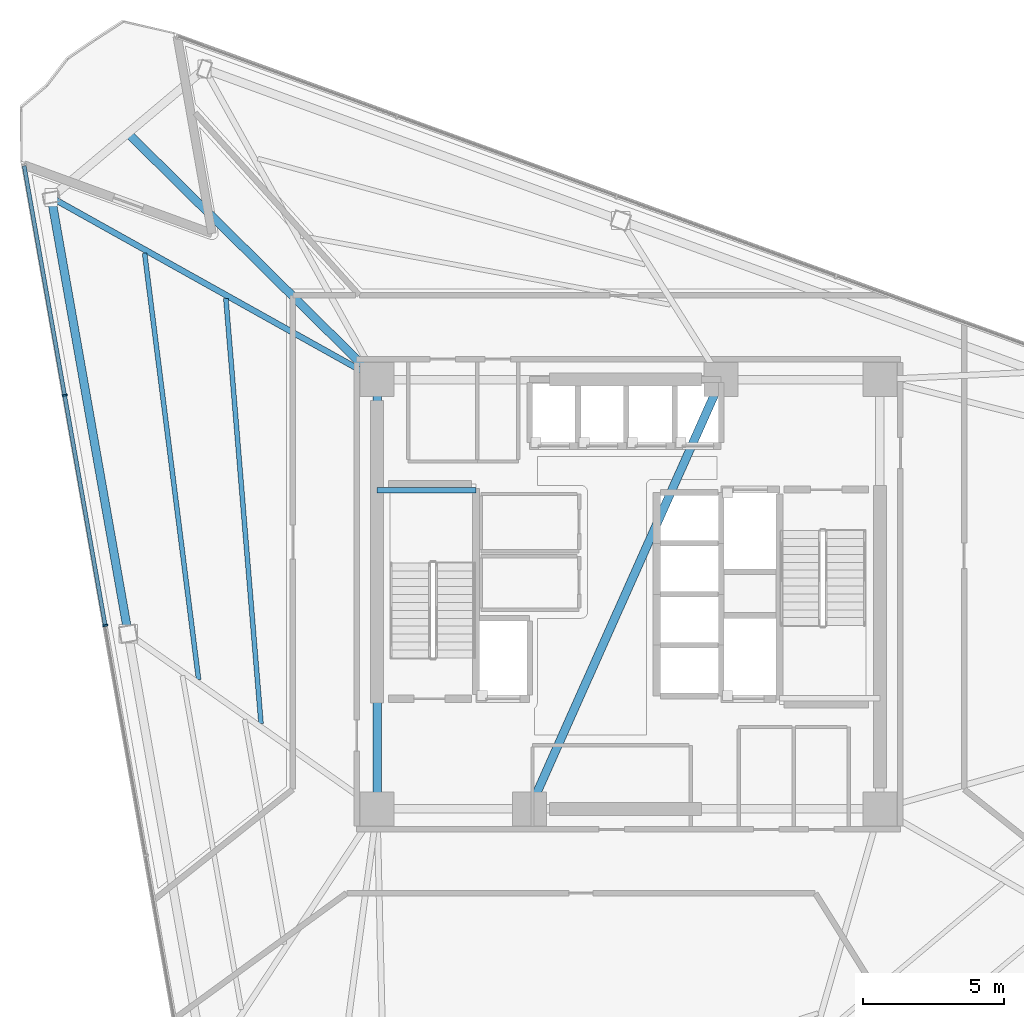
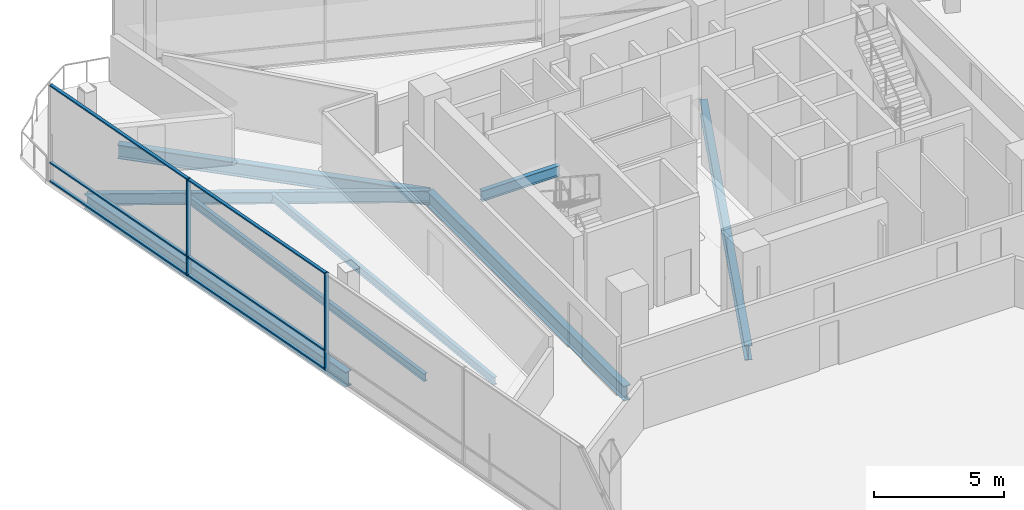
# One storey, part 5 of 15: 8 beams, 8 members, 1 element without a shape of its own.
"""IFC4 building model written with IfcOpenShell, lengths in metres."""

from ifc_helpers import new_model, si_unit, direction, frame, origin, origin_2d, place, context, subcontext, project, spatial, rectangle, i_section, extrude, material, layer, layer_set, material_profile, profile_set, type_object, element, aggregate, save


model = new_model("IFC4")

# Units and contexts
model_context = context("Model", 3, precision=1e-05, world=origin(), true_north=direction((0.0, 1.0)))
body_context = subcontext(model_context, "Body", "Model", "MODEL_VIEW")
ifc_project = project(units=[si_unit("LENGTHUNIT", "METRE"), si_unit("AREAUNIT", "SQUARE_METRE"), si_unit("VOLUMEUNIT", "CUBIC_METRE"), si_unit("PLANEANGLEUNIT", "RADIAN"), si_unit("MASSUNIT", "GRAM", prefix="KILO")], contexts=[model_context])

# Site, building, storey
site_placement = place(None, origin())
site = spatial("IfcSite", under=ifc_project, at=site_placement, CompositionType="ELEMENT")
building_placement = place(site_placement, origin())
building = spatial("IfcBuilding", under=site, at=building_placement, Name="Tharavind Bronze Gate", CompositionType="ELEMENT")
storey_placement = place(building_placement, frame((0.0, 0.0, 192.10009765625)))
storey = spatial("IfcBuildingStorey", under=building, at=storey_placement, Name="L49", CompositionType="ELEMENT", Elevation=192.10009765625)

# Curtain wall, members
ifc_material_1 = material(Name="Anodised Bronze Aluminium", Category="aluminium")
ifc_layer = layer(ifc_material_1, 0.219970703125)
ifc_layer_set = layer_set([ifc_layer], Name="Anodised Bronze Aluminium")
curtain_wall_type = type_object("IfcCurtainWallType", Name="UNITISED CURTAIN WALL MID OFFICE", PredefinedType="USERDEFINED", material=ifc_layer_set)
curtain_wall_placement = place(storey_placement, origin())
curtain_wall = element("IfcCurtainWall", 1, at=curtain_wall_placement, inside=storey, type_object=curtain_wall_type, Name="L49 unitised curtain wall mid office CW-L49-S1", ObjectType="UNITISED CURTAIN WALL", PredefinedType="USERDEFINED")
member_type_1 = type_object("IfcMemberType", Name="CURTAIN WALL BRONZE MULLION 65X180", PredefinedType="MULLION", material=ifc_material_1)
member_1_placement = place(storey_placement, frame((-19.9599609375, 7.044677734375, -0.000244140625), z_axis=(0.0, 0.0, 1.0), x_axis=(0.173648177667, -0.984807753012, 0.0)))
member_1 = element("IfcMember", 2, at=member_1_placement, type_object=member_type_1, Name="CW-L49-S1 mullion 2", PredefinedType="MULLION", context=body_context, shape_type="SweptSolid", body=[
    extrude(rectangle(XDim=0.06494140625, YDim=0.179931640625, at=origin_2d()), origin(), (0.0, 0.0, 1.0), 4.56005859375),
])
member_2_placement = place(storey_placement, frame((-18.5234375, -1.10302734375, -0.000244140625), z_axis=(0.0, 0.0, 1.0), x_axis=(0.173648177667, -0.984807753012, 0.0)))
member_2 = element("IfcMember", 3, at=member_2_placement, type_object=member_type_1, Name="CW-L49-S1 mullion 3", PredefinedType="MULLION", context=body_context, shape_type="SweptSolid", body=[
    extrude(rectangle(XDim=0.06494140625, YDim=0.179931640625, at=origin_2d()), origin(), (0.0, 0.0, 1.0), 4.56005859375),
])
member_type_2 = type_object("IfcMemberType", Name="CURTAIN WALL BRONZE TRANSOM 65X140", PredefinedType="USERDEFINED", material=ifc_material_1)
member_3_placement = place(storey_placement, frame((-20.678466796875, 11.118408203125, 0.0), z_axis=(0.0, 0.0, 1.0), x_axis=(0.173648177667, -0.984807753012, 0.0)))
member_3 = element("IfcMember", 4, at=member_3_placement, type_object=member_type_2, Name="CW-L49-S1 transom TB1", ObjectType="TRANSOM", PredefinedType="USERDEFINED", context=body_context, shape_type="SweptSolid", body=[
    extrude(rectangle(XDim=8.220458984375, YDim=0.139892578125, at=origin_2d()), origin(), (0.0, 0.0, 1.0), 0.06494140625),
])
member_4_placement = place(storey_placement, frame((-20.678466796875, 11.118408203125, 0.867431640625), z_axis=(0.0, 0.0, 1.0), x_axis=(0.173648177667, -0.984807753012, 0.0)))
member_4 = element("IfcMember", 5, at=member_4_placement, type_object=member_type_2, Name="CW-L49-S1 transom TS1", ObjectType="TRANSOM", PredefinedType="USERDEFINED", context=body_context, shape_type="SweptSolid", body=[
    extrude(rectangle(XDim=8.220458984375, YDim=0.139892578125, at=origin_2d()), origin(), (0.0, 0.0, 1.0), 0.06494140625),
])
member_5_placement = place(storey_placement, frame((-20.678466796875, 11.118408203125, 4.494873046875), z_axis=(0.0, 0.0, 1.0), x_axis=(0.173648177667, -0.984807753012, 0.0)))
member_5 = element("IfcMember", 6, at=member_5_placement, type_object=member_type_2, Name="CW-L49-S1 transom TT1", ObjectType="TRANSOM", PredefinedType="USERDEFINED", context=body_context, shape_type="SweptSolid", body=[
    extrude(rectangle(XDim=8.220458984375, YDim=0.139892578125, at=origin_2d()), origin(), (0.0, 0.0, 1.0), 0.06494140625),
])
member_6_placement = place(storey_placement, frame((-19.24169921875, 2.970703125, 0.0), z_axis=(0.0, 0.0, 1.0), x_axis=(0.173648177667, -0.984807753012, 0.0)))
member_6 = element("IfcMember", 7, at=member_6_placement, type_object=member_type_2, Name="CW-L49-S1 transom TB2", ObjectType="TRANSOM", PredefinedType="USERDEFINED", context=body_context, shape_type="SweptSolid", body=[
    extrude(rectangle(XDim=8.220458984375, YDim=0.139892578125, at=origin_2d()), origin(), (0.0, 0.0, 1.0), 0.06494140625),
])
member_7_placement = place(storey_placement, frame((-19.24169921875, 2.970703125, 0.867431640625), z_axis=(0.0, 0.0, 1.0), x_axis=(0.173648177667, -0.984807753012, 0.0)))
member_7 = element("IfcMember", 8, at=member_7_placement, type_object=member_type_2, Name="CW-L49-S1 transom TS2", ObjectType="TRANSOM", PredefinedType="USERDEFINED", context=body_context, shape_type="SweptSolid", body=[
    extrude(rectangle(XDim=8.220458984375, YDim=0.139892578125, at=origin_2d()), origin(), (0.0, 0.0, 1.0), 0.06494140625),
])
member_8_placement = place(storey_placement, frame((-19.24169921875, 2.970703125, 4.494873046875), z_axis=(0.0, 0.0, 1.0), x_axis=(0.173648177667, -0.984807753012, 0.0)))
member_8 = element("IfcMember", 9, at=member_8_placement, type_object=member_type_2, Name="CW-L49-S1 transom TT2", ObjectType="TRANSOM", PredefinedType="USERDEFINED", context=body_context, shape_type="SweptSolid", body=[
    extrude(rectangle(XDim=8.220458984375, YDim=0.139892578125, at=origin_2d()), origin(), (0.0, 0.0, 1.0), 0.06494140625),
])
aggregate(curtain_wall, [member_1, member_2, member_3, member_4, member_5, member_6, member_7, member_8])

# Beams
ifc_material_2 = material(Name="Steel S355", Category="steel")
ifc_material_profile_1 = material_profile(ifc_material_2, i_section(OverallWidth=0.300048828125, OverallDepth=0.64990234375, WebThickness=0.01611328125, FlangeThickness=0.031005859375, at=origin_2d()), Name="HE650B")
ifc_profile_set_1 = profile_set([ifc_material_profile_1], Name="Steel S355")
beam_type_1 = type_object("IfcBeamType", Name="PRIMARY GIRDER HE650B", PredefinedType="USERDEFINED", material=ifc_profile_set_1)
beam_1_placement = place(storey_placement, frame((-8.89990234375, 7.60009765625, -0.505126953125), z_axis=(-0.711218760843, 0.702970749196, 0.0), x_axis=(-0.702970749196, -0.711218760843, 0.0)))
element("IfcBeam", 10, at=beam_1_placement, inside=storey, type_object=beam_type_1, Name="L49 primary girder he650b BM-L49-BLCSB", ObjectType="GIRDER", PredefinedType="USERDEFINED", context=body_context, shape_type="SweptSolid", body=[
    extrude(i_section(OverallWidth=0.300048828125, OverallDepth=0.64990234375, WebThickness=0.01611328125, FlangeThickness=0.031005859375, at=origin_2d()), origin(), (0.0, 0.0, 1.0), 12.40234375),
])
ifc_material_profile_2 = material_profile(ifc_material_2, i_section(OverallWidth=0.199951171875, OverallDepth=0.5, WebThickness=0.01025390625, FlangeThickness=0.01611328125, at=origin_2d()), Name="IPE500")
ifc_profile_set_2 = profile_set([ifc_material_profile_2], Name="Steel S355")
beam_type_2 = type_object("IfcBeamType", Name="PRIMARY GIRDER IPE500", PredefinedType="USERDEFINED", material=ifc_profile_set_2)
beam_2_placement = place(storey_placement, frame((-8.89990234375, 3.679931640625, 1.9248046875), z_axis=(1.0, 0.0, 0.0), x_axis=(0.0, 1.0, 0.0)))
element("IfcBeam", 11, at=beam_2_placement, inside=storey, type_object=beam_type_2, Name="L49 primary girder ipe500 BM-LD-ST1-L49-1", ObjectType="GIRDER", PredefinedType="USERDEFINED", context=body_context, shape_type="SweptSolid", body=[
    extrude(i_section(OverallWidth=0.199951171875, OverallDepth=0.5, WebThickness=0.01025390625, FlangeThickness=0.01611328125, at=origin_2d()), origin(), (0.0, 0.0, 1.0), 3.5),
])
ifc_material_profile_3 = material_profile(ifc_material_2, i_section(OverallWidth=0.2099609375, OverallDepth=0.550048828125, WebThickness=0.010986328125, FlangeThickness=0.01708984375, at=origin_2d()), Name="IPE550")
ifc_profile_set_3 = profile_set([ifc_material_profile_3], Name="Steel S355")
beam_type_3 = type_object("IfcBeamType", Name="PRIMARY GIRDER IPE550", PredefinedType="USERDEFINED", material=ifc_profile_set_3)
beam_3_placement = place(storey_placement, frame((-20.4326171875, 14.043212890625, -0.455078125), z_axis=(0.872996251482, -0.487726916315, 0.0), x_axis=(0.487726916315, 0.872996251482, 0.0)))
element("IfcBeam", 12, at=beam_3_placement, inside=storey, type_object=beam_type_3, Name="L49 primary girder ipe550 BM-L49-RAD01", ObjectType="GIRDER", PredefinedType="USERDEFINED", context=body_context, shape_type="SweptSolid", body=[
    extrude(i_section(OverallWidth=0.2099609375, OverallDepth=0.550048828125, WebThickness=0.010986328125, FlangeThickness=0.01708984375, at=origin_2d()), origin(), (0.0, 0.0, 1.0), 13.21044921875),
])
ifc_material_profile_4 = material_profile(ifc_material_2, i_section(OverallWidth=0.300048828125, OverallDepth=0.699951171875, WebThickness=0.01708984375, FlangeThickness=0.031982421875, at=origin_2d()), Name="HE700B")
ifc_profile_set_4 = profile_set([ifc_material_profile_4], Name="Steel S355")
beam_type_4 = type_object("IfcBeamType", Name="RING GIRDER HE700B", PredefinedType="USERDEFINED", material=ifc_profile_set_4)
beam_4_placement = place(storey_placement, frame((-8.89990234375, 7.60009765625, -0.530029296875), z_axis=(0.0, -1.0, 0.0), x_axis=(1.0, 0.0, 0.0)))
element("IfcBeam", 13, at=beam_4_placement, inside=storey, type_object=beam_type_4, Name="L49 ring girder he700b BM-L49-CR6", ObjectType="GIRDER", PredefinedType="USERDEFINED", context=body_context, shape_type="SweptSolid", body=[
    extrude(i_section(OverallWidth=0.300048828125, OverallDepth=0.699951171875, WebThickness=0.01708984375, FlangeThickness=0.031982421875, at=origin_2d()), origin(), (0.0, 0.0, 1.0), 15.2001953125),
])
beam_5_placement = place(storey_placement, frame((-3.5, -7.60009765625, -0.530029296875), z_axis=(0.407361644566, 0.913266932795, 0.0), x_axis=(-0.913266932795, 0.407361644566, 0.0)))
element("IfcBeam", 14, at=beam_5_placement, inside=storey, type_object=beam_type_4, Name="L49 ring girder he700b BM-L49-CR7", ObjectType="GIRDER", PredefinedType="USERDEFINED", context=body_context, shape_type="SweptSolid", body=[
    extrude(i_section(OverallWidth=0.300048828125, OverallDepth=0.699951171875, WebThickness=0.01708984375, FlangeThickness=0.031982421875, at=origin_2d()), origin(), (0.0, 0.0, 1.0), 16.643798828125),
])
beam_6_placement = place(storey_placement, frame((-20.4326171875, 14.043212890625, -0.530029296875), z_axis=(0.173644998979, -0.984808313495, 0.0), x_axis=(0.984808313495, 0.173644998979, 0.0)))
element("IfcBeam", 15, at=beam_6_placement, inside=storey, type_object=beam_type_4, Name="L49 ring girder he700b BM-L49-PRG01", ObjectType="GIRDER", PredefinedType="USERDEFINED", context=body_context, shape_type="SweptSolid", body=[
    extrude(i_section(OverallWidth=0.300048828125, OverallDepth=0.699951171875, WebThickness=0.01708984375, FlangeThickness=0.031982421875, at=origin_2d()), origin(), (0.0, 0.0, 1.0), 15.680908203125),
])
ifc_material_profile_5 = material_profile(ifc_material_2, i_section(OverallWidth=0.169921875, OverallDepth=0.360107421875, WebThickness=0.008056640625, FlangeThickness=0.0126953125, at=origin_2d()), Name="IPE360")
ifc_profile_set_5 = profile_set([ifc_material_profile_5], Name="Steel S355")
beam_type_5 = type_object("IfcBeamType", Name="SECONDARY FLOOR JOIST IPE360", PredefinedType="JOIST", material=ifc_profile_set_5)
beam_7_placement = place(storey_placement, frame((-14.251953125, 10.466064453125, -0.360107421875), z_axis=(0.082410961919, -0.996598431343, 0.0), x_axis=(0.996598431343, 0.082410961919, 0.0)))
element("IfcBeam", 16, at=beam_7_placement, inside=storey, type_object=beam_type_5, Name="L49 secondary floor joist ipe360 BM-L49-JSTA01", PredefinedType="JOIST", context=body_context, shape_type="SweptSolid", body=[
    extrude(i_section(OverallWidth=0.169921875, OverallDepth=0.360107421875, WebThickness=0.008056640625, FlangeThickness=0.0126953125, at=origin_2d()), origin(), (0.0, 0.0, 1.0), 15.09375),
])
beam_8_placement = place(storey_placement, frame((-17.12890625, 12.073486328125, -0.360107421875), z_axis=(0.125636159432, -0.992076385891, 0.0), x_axis=(0.992076385891, 0.125636159432, 0.0)))
element("IfcBeam", 17, at=beam_8_placement, inside=storey, type_object=beam_type_5, Name="L49 secondary floor joist ipe360 BM-L49-JSTB01", PredefinedType="JOIST", context=body_context, shape_type="SweptSolid", body=[
    extrude(i_section(OverallWidth=0.169921875, OverallDepth=0.360107421875, WebThickness=0.008056640625, FlangeThickness=0.0126953125, at=origin_2d()), origin(), (0.0, 0.0, 1.0), 15.215576171875),
])

save(model, "model.ifc")
